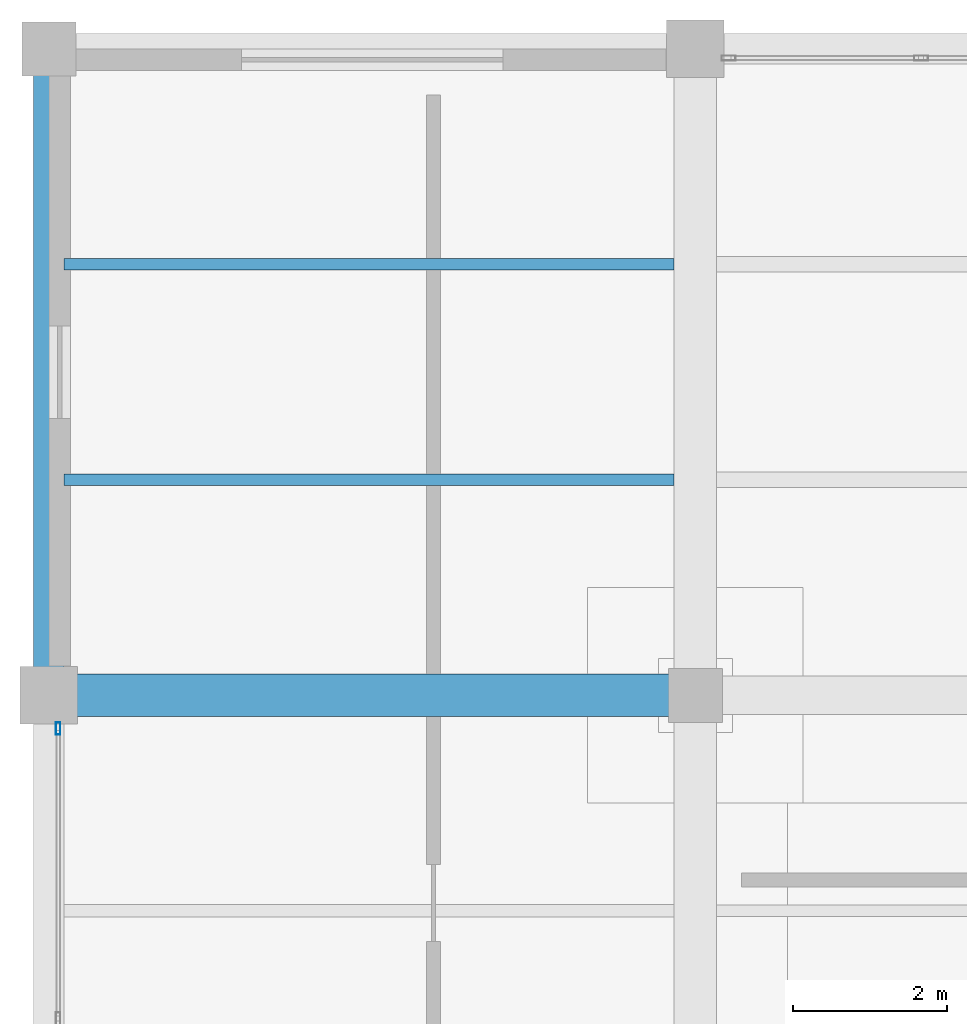
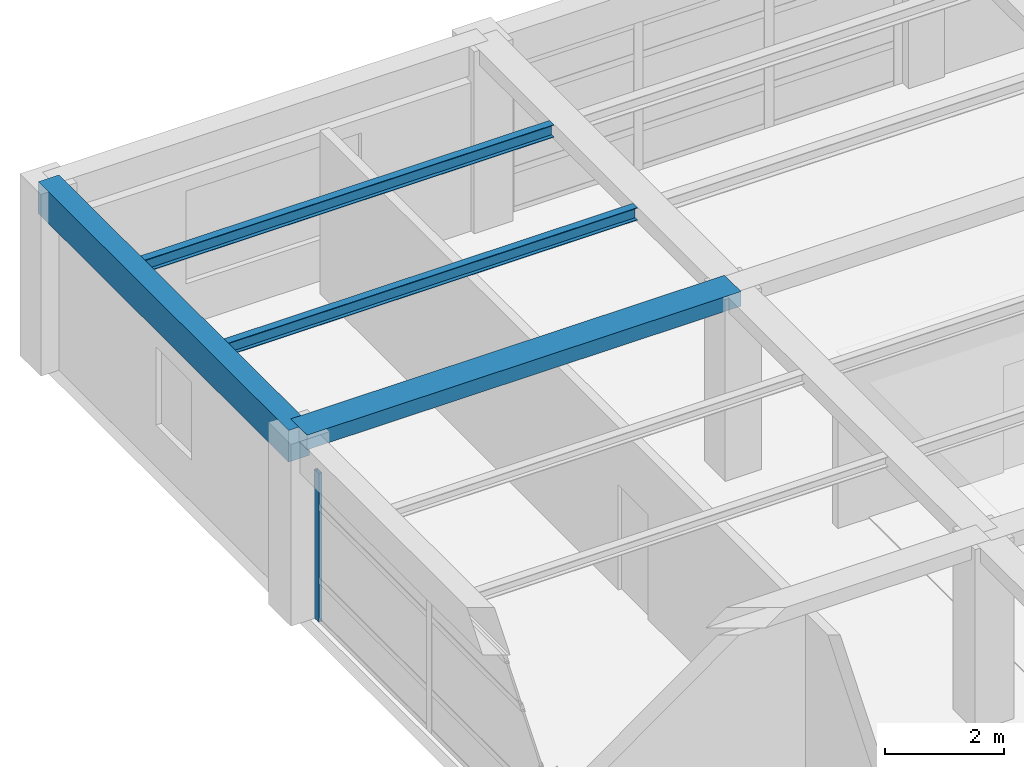
# One storey, part 8 of 26: 4 beams, 1 member, 1 element without a shape of its own.
"""IFC4 building model written with IfcOpenShell, lengths in metres."""

from ifc_helpers import new_model, si_unit, direction, frame, origin, origin_2d, place, context, subcontext, project, spatial, rectangle, hollow_rectangle, i_section, extrude, material, material_profile, profile_set, type_object, element, aggregate, save


model = new_model("IFC4")

# Units and contexts
model_context = context("Model", 3, precision=1e-05, world=origin(), true_north=direction((0.0, 1.0)))
body_context = subcontext(model_context, "Body", "Model", "MODEL_VIEW")
ifc_project = project(units=[si_unit("LENGTHUNIT", "METRE"), si_unit("AREAUNIT", "SQUARE_METRE"), si_unit("VOLUMEUNIT", "CUBIC_METRE"), si_unit("PLANEANGLEUNIT", "RADIAN"), si_unit("MASSUNIT", "GRAM", prefix="KILO")], contexts=[model_context])

# Site, building, storey
site_placement = place(None, origin())
site = spatial("IfcSite", under=ifc_project, at=site_placement, CompositionType="ELEMENT")
building_placement = place(site_placement, origin())
building = spatial("IfcBuilding", under=site, at=building_placement, Name="Almacenes y Pasaje Nevantli", CompositionType="ELEMENT")
storey_placement = place(building_placement, frame((0.0, 0.0, 30.699951171875)))
storey = spatial("IfcBuildingStorey", under=building, at=storey_placement, Name="L07", CompositionType="ELEMENT", Elevation=30.699951171875)

# Beams
ifc_material_1 = material(Name="Concrete C35/45", Category="concrete")
ifc_material_profile_1 = material_profile(ifc_material_1, rectangle(XDim=0.39990234375, YDim=0.64990234375, at=origin_2d()), Name="RC-BM-400x650")
ifc_profile_set_1 = profile_set([ifc_material_profile_1], Name="Concrete C35/45")
beam_type_1 = type_object("IfcBeamType", Name="BM-RC-400x650", PredefinedType="SPANDREL", material=ifc_profile_set_1)
beam_1_placement = place(storey_placement, frame((109.199951171875, 92.39990234375, 3.39501953125), z_axis=(0.0, 1.0, 0.0), x_axis=(-1.0, 0.0, 0.0)))
element("IfcBeam", 1, at=beam_1_placement, inside=storey, type_object=beam_type_1, Name="L07 North-South Reinforced Concrete Beam #3662", PredefinedType="SPANDREL", context=body_context, shape_type="SweptSolid", body=[
    extrude(rectangle(XDim=0.39990234375, YDim=0.64990234375, at=origin_2d()), origin(), (0.0, 0.0, 1.0), 8.400146484375),
])
ifc_material_2 = material(Name="Concrete C35/45", Category="concrete")
ifc_material_profile_2 = material_profile(ifc_material_2, rectangle(XDim=0.550048828125, YDim=0.300048828125, at=origin_2d()), Name="RC-BM-550x300")
ifc_profile_set_2 = profile_set([ifc_material_profile_2], Name="Concrete C35/45")
beam_type_2 = type_object("IfcBeamType", Name="BM-RC-550x300", PredefinedType="BEAM", material=ifc_profile_set_2)
beam_2_placement = place(storey_placement, frame((109.199951171875, 92.39990234375, 3.570068359375), z_axis=(1.0, 0.0, 0.0), x_axis=(0.0, 1.0, 0.0)))
element("IfcBeam", 2, at=beam_2_placement, inside=storey, type_object=beam_type_2, Name="L07 East-West Reinforced Concrete Beam #3647", PredefinedType="BEAM", context=body_context, shape_type="SweptSolid", body=[
    extrude(rectangle(XDim=0.550048828125, YDim=0.300048828125, at=origin_2d()), origin(), (0.0, 0.0, 1.0), 8.400146484375),
])
ifc_material_3 = material(Name="Steel ASTM A992", Category="steel")
ifc_material_profile_3 = material_profile(ifc_material_3, i_section(OverallWidth=0.14697265625, OverallDepth=0.257080078125, WebThickness=0.006591796875, FlangeThickness=0.01123046875, at=origin_2d()), Name="IR 254x38.7")
ifc_profile_set_3 = profile_set([ifc_material_profile_3], Name="Steel ASTM A992")
beam_type_3 = type_object("IfcBeamType", Name="BM-STL-IR-254x38p7", PredefinedType="JOIST", material=ifc_profile_set_3)
for number, where, z_axis, x_axis, name in (
    (3, (109.39990234375, 95.199951171875, 3.58349609375), (1.0, 0.0, 0.0), (0.0, 1.0, 0.0), "L07 Secondary Steel Floor Joist #1393"),
    (4, (109.39990234375, 98.0, 3.58349609375), (1.0, 0.0, 0.0), (0.0, 1.0, 0.0), "L07 Secondary Steel Floor Joist #1394"),
):
    element("IfcBeam", number, at=place(storey_placement, frame(where, z_axis=z_axis, x_axis=x_axis)), inside=storey, type_object=beam_type_3, Name=name, PredefinedType="JOIST", context=body_context, shape_type="SweptSolid", body=[
        extrude(i_section(OverallWidth=0.14697265625, OverallDepth=0.257080078125, WebThickness=0.006591796875, FlangeThickness=0.01123046875, at=origin_2d()), origin(), (0.0, 0.0, 1.0), 7.925048828125),
    ])

# Curtain wall, member
ifc_material_4 = material(Name="Thermally Broken Aluminium and Low-E Glass", Category="aluminium")
curtain_wall_type = type_object("IfcCurtainWallType", Name="CW-UNIT-TOWER", PredefinedType="USERDEFINED", material=ifc_material_4)
curtain_wall_placement = place(storey_placement, origin())
curtain_wall = element("IfcCurtainWall", 5, at=curtain_wall_placement, inside=storey, type_object=curtain_wall_type, Name="L07 Tower West Curtain Wall Bay 11", ObjectType="UNITIZED CURTAIN WALL", PredefinedType="USERDEFINED")
ifc_material_5 = material(Name="Thermally Broken Anodized Aluminium", Category="aluminium")
ifc_material_profile_4 = material_profile(ifc_material_5, hollow_rectangle(XDim=0.06005859375, YDim=0.159912109375, WallThickness=0.00390625, at=origin_2d()), Name="ALU-MUL-60x160")
ifc_profile_set_4 = profile_set([ifc_material_profile_4], Name="Thermally Broken Anodized Aluminium")
member_type = type_object("IfcMemberType", Name="CW-MUL-180", PredefinedType="MULLION", material=ifc_profile_set_4)
member_placement = place(storey_placement, frame((109.320068359375, 91.969970703125, 0.0), z_axis=(0.0, 0.0, 1.0), x_axis=(-1.0, 0.0, 0.0)))
member = element("IfcMember", 6, at=member_placement, type_object=member_type, Name="CW-L07-119 mullion 3", PredefinedType="MULLION", context=body_context, shape_type="SweptSolid", body=[
    extrude(hollow_rectangle(XDim=0.06005859375, YDim=0.159912109375, WallThickness=0.00390625, at=origin_2d()), origin(), (0.0, 0.0, 1.0), 3.0400390625),
])
aggregate(curtain_wall, [member])

save(model, "model.ifc")
